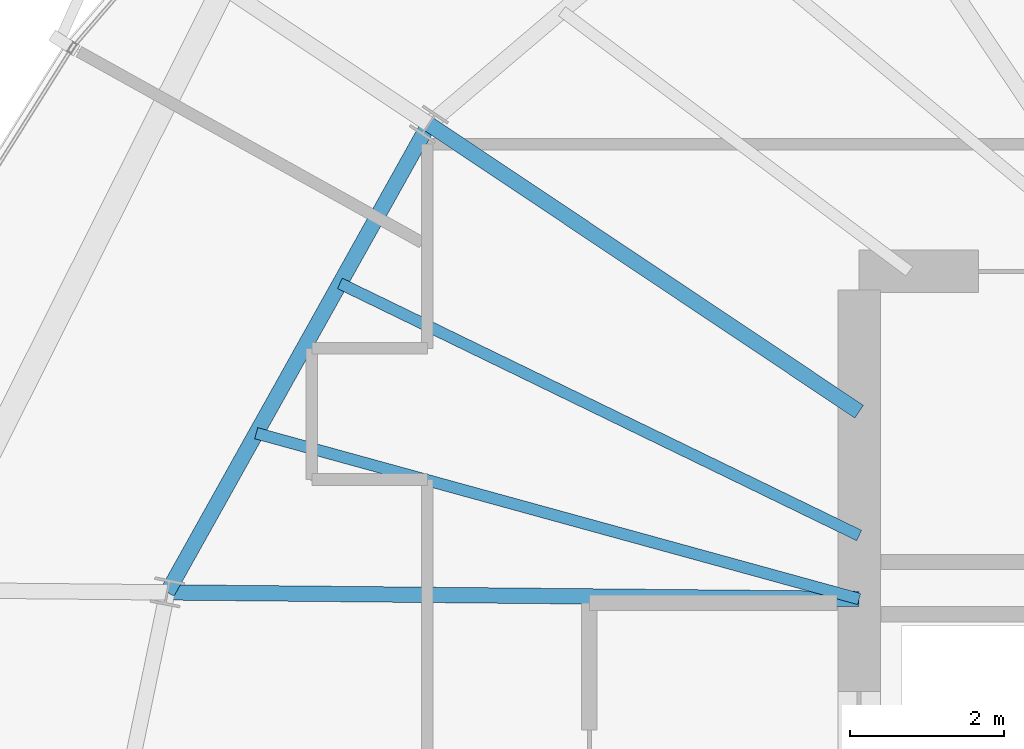
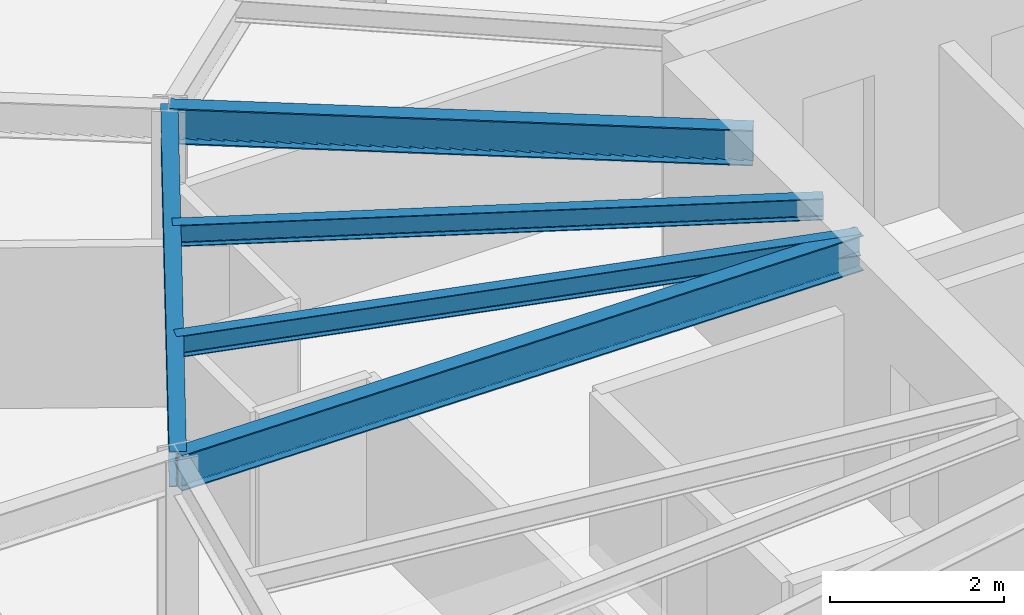
# One storey, part 12 of 34: 5 beams.
"""IFC4 building model written with IfcOpenShell, lengths in metres."""

from ifc_helpers import new_model, si_unit, direction, frame, origin, origin_2d, place, context, subcontext, project, spatial, i_section, extrude, source, transform, mapped, material, material_profile, profile_set, type_object, element, save


model = new_model("IFC4")

# Units and contexts
model_context = context("Model", 3, precision=1e-05, world=origin(), true_north=direction((0.0, 1.0)))
body_context = subcontext(model_context, "Body", "Model", "MODEL_VIEW")
ifc_project = project(units=[si_unit("LENGTHUNIT", "METRE"), si_unit("AREAUNIT", "SQUARE_METRE"), si_unit("VOLUMEUNIT", "CUBIC_METRE"), si_unit("PLANEANGLEUNIT", "RADIAN"), si_unit("MASSUNIT", "GRAM", prefix="KILO"), si_unit("THERMODYNAMICTEMPERATUREUNIT", "KELVIN")], contexts=[model_context])

# Site, building, storey
site_placement = place(None, origin())
site = spatial("IfcSite", under=ifc_project, at=site_placement, CompositionType="ELEMENT")
building_placement = place(site_placement, origin())
building = spatial("IfcBuilding", under=site, at=building_placement, Name="Kethvar Cultural Tower", CompositionType="ELEMENT")
storey_placement = place(building_placement, frame((0.0, 0.0, 183.39990234375)))
storey = spatial("IfcBuildingStorey", under=building, at=storey_placement, Name="L47", CompositionType="ELEMENT", Elevation=183.39990234375)

# Beams
ifc_material = material(Name="Steel S355J2", Category="steel")
ifc_material_profile_1 = material_profile(ifc_material, i_section(OverallWidth=0.199951171875, OverallDepth=0.5, WebThickness=0.01025390625, FlangeThickness=0.01611328125, FilletRadius=0.02099609375, at=origin_2d()), Name="Steel S355J2 — IPE500")
ifc_profile_set_1 = profile_set([ifc_material_profile_1], Name="Steel S355J2 — IPE500")
beam_type_1 = type_object("IfcBeamType", Name="BM-IPE500", PredefinedType="BEAM", material=ifc_profile_set_1)
shared_shape_1 = source(origin(), body_context, "Body", "SweptSolid", [
    extrude(i_section(OverallWidth=0.199951171875, OverallDepth=0.5, WebThickness=0.01025390625, FlangeThickness=0.01611328125, FilletRadius=0.02099609375, at=origin_2d()), origin(), (0.0, 0.0, 1.0), 6.713134765625),
])
beam_1_placement = place(storey_placement, frame((38.0, 33.679931640625, 3.008056640625), z_axis=(-0.831479157792, 0.55555594692, 0.0), x_axis=(-0.55555594692, -0.831479157792, 0.0)))
element("IfcBeam", 1, at=beam_1_placement, inside=storey, type_object=beam_type_1, Name="L47 Primary Radial Beam RB-07", PredefinedType="BEAM", context=body_context, shape_type="MappedRepresentation", body=[
    mapped(shared_shape_1, transform((0.0, 0.0, 0.0), scale=1.0)),
])
shared_shape_2 = source(origin(), body_context, "Body", "SweptSolid", [
    extrude(i_section(OverallWidth=0.199951171875, OverallDepth=0.5, WebThickness=0.01025390625, FlangeThickness=0.01611328125, FilletRadius=0.02099609375, at=origin_2d()), origin(), (0.0, 0.0, 1.0), 8.9755859375),
])
beam_2_placement = place(storey_placement, frame((38.0, 31.25, 3.008056640625), z_axis=(-0.999954421893, 0.00954746755, 0.0), x_axis=(-0.00954746755, -0.999954421893, 0.0)))
element("IfcBeam", 2, at=beam_2_placement, inside=storey, type_object=beam_type_1, Name="L47 Primary Radial Beam RB-08", PredefinedType="BEAM", context=body_context, shape_type="MappedRepresentation", body=[
    mapped(shared_shape_2, transform((0.0, 0.0, 0.0), scale=1.0)),
])
shared_shape_3 = source(origin(), body_context, "Body", "SweptSolid", [
    extrude(i_section(OverallWidth=0.199951171875, OverallDepth=0.5, WebThickness=0.01025390625, FlangeThickness=0.01611328125, FilletRadius=0.02099609375, at=origin_2d()), origin(), (0.0, 0.0, 1.0), 6.957275390625),
])
beam_3_placement = place(storey_placement, frame((32.418212890625, 37.409423828125, 3.008056640625), z_axis=(-0.487730122968, -0.872994459976, 0.0), x_axis=(0.872994459976, -0.487730122968, 0.0)))
element("IfcBeam", 3, at=beam_3_placement, inside=storey, type_object=beam_type_1, Name="L47 Column Ring Tie Beam CR-07", PredefinedType="BEAM", context=body_context, shape_type="MappedRepresentation", body=[
    mapped(shared_shape_3, transform((0.0, 0.0, 0.0), scale=1.0)),
])
ifc_material_profile_2 = material_profile(ifc_material, i_section(OverallWidth=0.14990234375, OverallDepth=0.300048828125, WebThickness=0.007080078125, FlangeThickness=0.0107421875, FilletRadius=0.014892578125, at=origin_2d()), Name="Steel S355J2 — IPE300")
ifc_profile_set_2 = profile_set([ifc_material_profile_2], Name="Steel S355J2 — IPE300")
beam_type_2 = type_object("IfcBeamType", Name="BM-J300", PredefinedType="JOIST", material=ifc_profile_set_2)
shared_shape_4 = source(origin(), body_context, "Body", "SweptSolid", [
    extrude(i_section(OverallWidth=0.14990234375, OverallDepth=0.300048828125, WebThickness=0.007080078125, FlangeThickness=0.0107421875, FilletRadius=0.014892578125, at=origin_2d()), origin(), (0.0, 0.0, 1.0), 7.48779296875),
])
beam_4_placement = place(storey_placement, frame((38.0, 32.073486328125, 3.108154296875), z_axis=(-0.8995385432, 0.436841400623, 0.0), x_axis=(-0.436841400623, -0.8995385432, 0.0)))
element("IfcBeam", 4, at=beam_4_placement, inside=storey, type_object=beam_type_2, Name="L47 Composite Floor Joist J-07A", PredefinedType="JOIST", context=body_context, shape_type="MappedRepresentation", body=[
    mapped(shared_shape_4, transform((0.0, 0.0, 0.0), scale=1.0)),
])
shared_shape_5 = source(origin(), body_context, "Body", "SweptSolid", [
    extrude(i_section(OverallWidth=0.14990234375, OverallDepth=0.300048828125, WebThickness=0.007080078125, FlangeThickness=0.0107421875, FilletRadius=0.014892578125, at=origin_2d()), origin(), (0.0, 0.0, 1.0), 8.111572265625),
])
beam_5_placement = place(storey_placement, frame((38.0, 31.25, 3.108154296875), z_axis=(-0.96420462331, 0.265159281164, 0.0), x_axis=(-0.265159281164, -0.96420462331, 0.0)))
element("IfcBeam", 5, at=beam_5_placement, inside=storey, type_object=beam_type_2, Name="L47 Composite Floor Joist J-07B", PredefinedType="JOIST", context=body_context, shape_type="MappedRepresentation", body=[
    mapped(shared_shape_5, transform((0.0, 0.0, 0.0), scale=1.0)),
])

save(model, "model.ifc")
